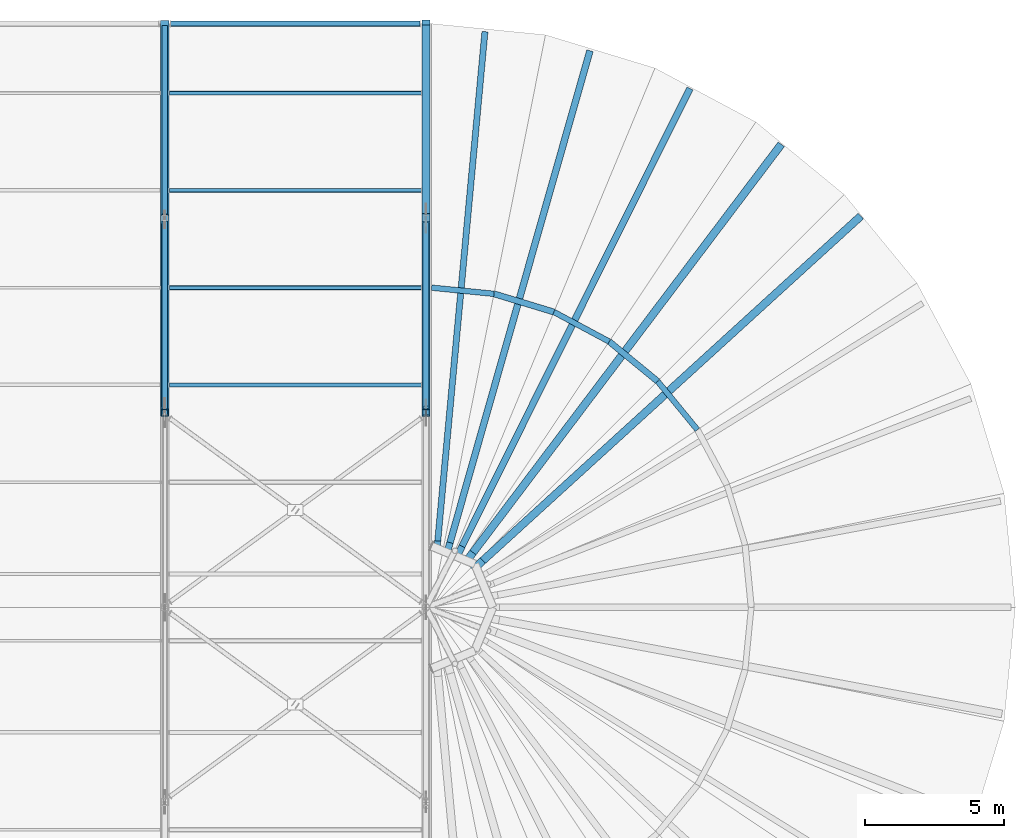
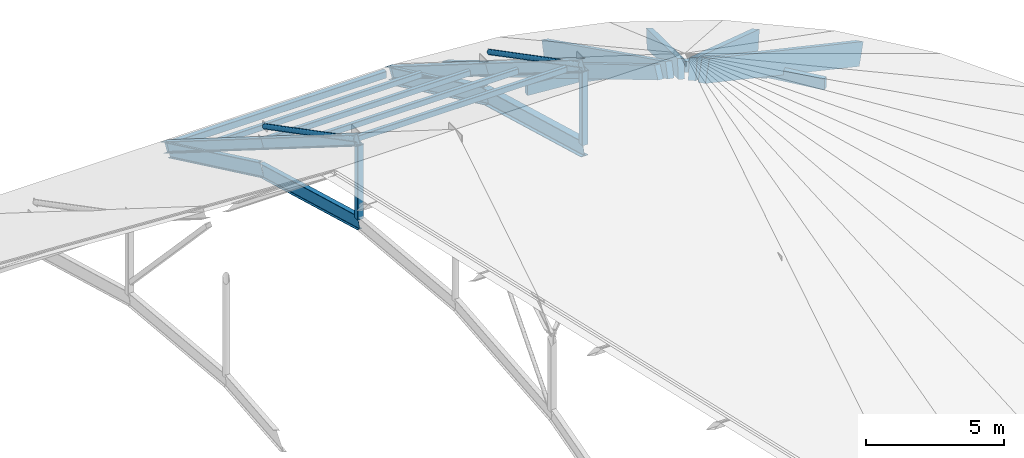
# One storey, part 18 of 66: 17 members, 10 beams.
"""IFC4 building model written with IfcOpenShell, lengths in metres."""

from ifc_helpers import new_model, si_unit, direction, frame, origin, origin_2d, place, context, subcontext, project, spatial, rectangle, hollow_rectangle, hollow_circle, i_section, extrude, material, material_profile, profile_set, type_object, element, save


model = new_model("IFC4")

# Units and contexts
model_context = context("Model", 3, precision=1e-05, world=origin(), true_north=direction((0.0, 1.0)))
body_context = subcontext(model_context, "Body", "Model", "MODEL_VIEW")
ifc_project = project(units=[si_unit("LENGTHUNIT", "METRE"), si_unit("AREAUNIT", "SQUARE_METRE"), si_unit("VOLUMEUNIT", "CUBIC_METRE"), si_unit("PLANEANGLEUNIT", "RADIAN"), si_unit("MASSUNIT", "GRAM", prefix="KILO")], contexts=[model_context])

# Site, building, storey
site_placement = place(None, origin())
site = spatial("IfcSite", under=ifc_project, at=site_placement, CompositionType="ELEMENT")
building_placement = place(site_placement, origin())
building = spatial("IfcBuilding", under=site, at=building_placement, Name="Yeouljin Market Hall", CompositionType="ELEMENT")
storey_placement = place(building_placement, frame((0.0, 0.0, 23.39990234375)))
storey = spatial("IfcBuildingStorey", under=building, at=storey_placement, Name="RF", CompositionType="ELEMENT", Elevation=23.39990234375)

# Beams
ifc_material_1 = material(Name="Glulam Timber KS F 3021 10S-30B", Category="wood")
ifc_material_profile_1 = material_profile(ifc_material_1, rectangle(XDim=0.199951171875, YDim=0.47998046875, at=origin_2d()), Name="GL-200x480")
ifc_profile_set_1 = profile_set([ifc_material_profile_1], Name="Glulam Timber KS F 3021 10S-30B")
beam_type_1 = type_object("IfcBeamType", Name="Beam_GL-200x480", PredefinedType="BEAM", material=ifc_profile_set_1)
for number, where, z_axis, x_axis, name in (
    (1, (150.56201171875, 63.38916015625, -7.349853515625), (-0.634510759902, 0.772914028575, 0.0), (-0.772914028575, -0.634510759902, 0.0), "Glulam apse collar beam east 12"),
    (2, (147.38916015625, 66.56201171875, -7.349853515625), (-0.881968925016, 0.471307559144, 0.0), (-0.471307559144, -0.881968925016, 0.0), "Glulam apse collar beam east 14"),
):
    element("IfcBeam", number, at=place(storey_placement, frame(where, z_axis=z_axis, x_axis=x_axis)), inside=storey, type_object=beam_type_1, Name=name, PredefinedType="BEAM", context=body_context, shape_type="SweptSolid", body=[
        extrude(rectangle(XDim=0.199951171875, YDim=0.47998046875, at=origin_2d()), origin(), (0.0, 0.0, 1.0), 2.25439453125),
    ])
beam_1_placement = place(storey_placement, frame((143.243408203125, 68.279052734375, -7.349853515625), z_axis=(-0.995185122883, 0.098013117446, 0.0), x_axis=(-0.098013117446, -0.995185122883, 0.0)))
element("IfcBeam", 3, at=beam_1_placement, inside=storey, type_object=beam_type_1, Name="Glulam apse collar beam east 16", PredefinedType="BEAM", context=body_context, shape_type="SweptSolid", body=[
    extrude(rectangle(XDim=0.199951171875, YDim=0.47998046875, at=origin_2d()), origin(), (0.0, 0.0, 1.0), 2.254150390625),
])
ifc_material_2 = material(Name="Glulam Timber KS F 3021 10S-30B", Category="wood")
ifc_material_profile_2 = material_profile(ifc_material_2, rectangle(XDim=0.219970703125, YDim=0.56005859375, at=origin_2d()), Name="GL-220x560")
ifc_profile_set_2 = profile_set([ifc_material_profile_2], Name="Glulam Timber KS F 3021 10S-30B")
beam_type_2 = type_object("IfcBeamType", Name="Beam_GL-220x560", PredefinedType="BEAM", material=ifc_profile_set_2)
beam_2_placement = place(storey_placement, frame((149.131591796875, 65.131591796875, -7.349853515625), z_axis=(-0.772914028575, 0.634510759902, 0.0), x_axis=(-0.634510759902, -0.772914028575, 0.0)))
element("IfcBeam", 4, at=beam_2_placement, inside=storey, type_object=beam_type_2, Name="Glulam apse collar beam east 13", PredefinedType="BEAM", context=body_context, shape_type="SweptSolid", body=[
    extrude(rectangle(XDim=0.219970703125, YDim=0.56005859375, at=origin_2d()), origin(), (0.0, 0.0, 1.0), 2.25439453125),
])
beam_3_placement = place(storey_placement, frame((145.40087890625, 67.62451171875, -7.349853515625), z_axis=(-0.9569305483, 0.290316940137, 0.0), x_axis=(-0.290316940137, -0.9569305483, 0.0)))
element("IfcBeam", 5, at=beam_3_placement, inside=storey, type_object=beam_type_2, Name="Glulam apse collar beam east 15", PredefinedType="BEAM", context=body_context, shape_type="SweptSolid", body=[
    extrude(rectangle(XDim=0.219970703125, YDim=0.56005859375, at=origin_2d()), origin(), (0.0, 0.0, 1.0), 2.254638671875),
])
ifc_material_3 = material(Name="Steel SM355", Category="steel")
ifc_material_profile_3 = material_profile(ifc_material_3, i_section(OverallWidth=0.199951171875, OverallDepth=0.60009765625, WebThickness=0.010986328125, FlangeThickness=0.01708984375, FilletRadius=0.02197265625, at=origin_2d()), Name="H-600x200x11x17")
ifc_profile_set_3 = profile_set([ifc_material_profile_3], Name="Steel SM355")
beam_type_3 = type_object("IfcBeamType", Name="Beam_H-600x200x11x17", PredefinedType="BEAM", material=ifc_profile_set_3)
beam_4_placement = place(storey_placement, frame((131.39990234375, 64.02001953125, -7.144287109375), z_axis=(0.0, 0.963516941196, -0.267647350124), x_axis=(-1.0, 0.0, 0.0)))
element("IfcBeam", 6, at=beam_4_placement, inside=storey, type_object=beam_type_3, Name="Truss AT-11 arch rib 5", PredefinedType="BEAM", context=body_context, shape_type="SweptSolid", body=[
    extrude(i_section(OverallWidth=0.199951171875, OverallDepth=0.60009765625, WebThickness=0.010986328125, FlangeThickness=0.01708984375, FilletRadius=0.02197265625, at=origin_2d()), origin(), (0.0, 0.0, 1.0), 7.223388671875),
])
beam_5_placement = place(storey_placement, frame((131.39990234375, 71.02001953125, -9.07763671875), z_axis=(0.0, 0.903192091176, -0.429236585623), x_axis=(-1.0, 0.0, 0.0)))
element("IfcBeam", 7, at=beam_5_placement, inside=storey, type_object=beam_type_3, Name="Truss AT-11 arch rib 6", PredefinedType="BEAM", context=body_context, shape_type="SweptSolid", body=[
    extrude(i_section(OverallWidth=0.199951171875, OverallDepth=0.60009765625, WebThickness=0.010986328125, FlangeThickness=0.01708984375, FilletRadius=0.02197265625, at=origin_2d()), origin(), (0.0, 0.0, 1.0), 7.5068359375),
])
ifc_material_4 = material(Name="Steel SM355", Category="steel")
ifc_material_profile_4 = material_profile(ifc_material_4, hollow_rectangle(XDim=0.199951171875, YDim=0.300048828125, WallThickness=0.009033203125, InnerFilletRadius=0.009033203125, OuterFilletRadius=0.01611328125, at=origin_2d()), Name="RHS-300x200x9")
ifc_profile_set_4 = profile_set([ifc_material_profile_4], Name="Steel SM355")
beam_type_4 = type_object("IfcBeamType", Name="Beam_RHS-300x200x9", PredefinedType="BEAM", material=ifc_profile_set_4)
beam_6_placement = place(storey_placement, frame((131.615966796875, 78.0, -12.27978515625), z_axis=(1.0, 0.0, 0.0), x_axis=(0.0, 1.0, 0.0)))
element("IfcBeam", 8, at=beam_6_placement, inside=storey, type_object=beam_type_4, Name="Hall eaves girder N11", PredefinedType="BEAM", context=body_context, shape_type="SweptSolid", body=[
    extrude(hollow_rectangle(XDim=0.199951171875, YDim=0.300048828125, WallThickness=0.009033203125, InnerFilletRadius=0.009033203125, OuterFilletRadius=0.01611328125, at=origin_2d()), origin(), (0.0, 0.0, 1.0), 8.968017578125),
])

# Members
ifc_material_5 = material(Name="Steel SM355", Category="steel")
ifc_material_profile_5 = material_profile(ifc_material_5, hollow_circle(Radius=0.108154296875, WallThickness=0.008056640625, at=origin_2d()), Name="CHS-216.3x8")
ifc_profile_set_5 = profile_set([ifc_material_profile_5], Name="Steel SM355")
member_type_1 = type_object("IfcMemberType", Name="Brace_CHS-216.3x8", PredefinedType="BRACE", material=ifc_profile_set_5)
for number, where, z_axis, x_axis, name in (
    (9, (131.39990234375, 64.195068359375, -3.6015625), (0.0, 0.886995164265, -0.461778711691), (-1.0, 0.0, 0.0), "Truss AT-11 web diagonal 5"),
    (10, (140.800048828125, 64.195068359375, -3.6015625), (0.0, 0.886995164265, -0.461778711691), (-1.0, 0.0, 0.0), "Truss AT-12 web diagonal 5"),
):
    element("IfcMember", number, at=place(storey_placement, frame(where, z_axis=z_axis, x_axis=x_axis)), inside=storey, type_object=member_type_1, Name=name, PredefinedType="BRACE", context=body_context, shape_type="SweptSolid", body=[
        extrude(hollow_circle(Radius=0.108154296875, WallThickness=0.008056640625, at=origin_2d()), origin(), (0.0, 0.0, 1.0), 7.451904296875),
    ])
ifc_material_6 = material(Name="Steel SM355", Category="steel")
ifc_material_profile_6 = material_profile(ifc_material_6, i_section(OverallWidth=0.300048828125, OverallDepth=0.43994140625, WebThickness=0.010986328125, FlangeThickness=0.01806640625, FilletRadius=0.02001953125, at=origin_2d()), Name="H-440x300x11x18")
ifc_profile_set_6 = profile_set([ifc_material_profile_6], Name="Steel SM355")
member_type_2 = type_object("IfcMemberType", Name="Chord_H-440x300x11x18", PredefinedType="CHORD", material=ifc_profile_set_6)
for number, where, z_axis, x_axis, name in (
    (11, (131.39990234375, 64.0, -3.5), (0.0, 0.846641870869, -0.53216307885), (-1.0, 0.0, 0.0), "Truss AT-11 top chord 5"),
    (12, (131.39990234375, 71.0, -7.89990234375), (0.0, 0.846641870869, -0.53216307885), (-1.0, 0.0, 0.0), "Truss AT-11 top chord 6"),
):
    element("IfcMember", number, at=place(storey_placement, frame(where, z_axis=z_axis, x_axis=x_axis)), inside=storey, type_object=member_type_2, Name=name, PredefinedType="CHORD", context=body_context, shape_type="SweptSolid", body=[
        extrude(i_section(OverallWidth=0.300048828125, OverallDepth=0.43994140625, WebThickness=0.010986328125, FlangeThickness=0.01806640625, FilletRadius=0.02001953125, at=origin_2d()), origin(), (0.0, 0.0, 1.0), 8.26806640625),
    ])
ifc_material_7 = material(Name="Steel SM355", Category="steel")
ifc_material_profile_7 = material_profile(ifc_material_7, i_section(OverallWidth=0.300048828125, OverallDepth=0.488037109375, WebThickness=0.010986328125, FlangeThickness=0.01806640625, FilletRadius=0.02197265625, at=origin_2d()), Name="H-488x300x11x18")
ifc_profile_set_7 = profile_set([ifc_material_profile_7], Name="Steel SM355")
member_type_3 = type_object("IfcMemberType", Name="Chord_H-488x300x11x18", PredefinedType="CHORD", material=ifc_profile_set_7)
for number, where, z_axis, x_axis, name in (
    (13, (140.800048828125, 64.0, -3.5), (0.0, 0.846641870869, -0.53216307885), (-1.0, 0.0, 0.0), "Truss AT-12 top chord 5"),
    (14, (140.800048828125, 71.0, -7.89990234375), (0.0, 0.846641870869, -0.53216307885), (-1.0, 0.0, 0.0), "Truss AT-12 top chord 6"),
):
    element("IfcMember", number, at=place(storey_placement, frame(where, z_axis=z_axis, x_axis=x_axis)), inside=storey, type_object=member_type_3, Name=name, PredefinedType="CHORD", context=body_context, shape_type="SweptSolid", body=[
        extrude(i_section(OverallWidth=0.300048828125, OverallDepth=0.488037109375, WebThickness=0.010986328125, FlangeThickness=0.01806640625, FilletRadius=0.02197265625, at=origin_2d()), origin(), (0.0, 0.0, 1.0), 8.26806640625),
    ])

# Beams
ifc_material_8 = material(Name="Steel SM355", Category="steel")
ifc_material_profile_8 = material_profile(ifc_material_8, i_section(OverallWidth=0.300048828125, OverallDepth=0.699951171875, WebThickness=0.012939453125, FlangeThickness=0.02392578125, FilletRadius=0.02587890625, at=origin_2d()), Name="H-700x300x13x24")
ifc_profile_set_8 = profile_set([ifc_material_profile_8], Name="Steel SM355")
beam_type_5 = type_object("IfcBeamType", Name="Girder_H-700x300x13x24", PredefinedType="USERDEFINED", material=ifc_profile_set_8)
beam_7_placement = place(storey_placement, frame((140.800048828125, 64.02001953125, -7.144287109375), z_axis=(0.0, 0.963516941196, -0.267647350124), x_axis=(-1.0, 0.0, 0.0)))
element("IfcBeam", 15, at=beam_7_placement, inside=storey, type_object=beam_type_5, Name="Truss AT-12 arch rib 5", ObjectType="GIRDER", PredefinedType="USERDEFINED", context=body_context, shape_type="SweptSolid", body=[
    extrude(i_section(OverallWidth=0.300048828125, OverallDepth=0.699951171875, WebThickness=0.012939453125, FlangeThickness=0.02392578125, FilletRadius=0.02587890625, at=origin_2d()), origin(), (0.0, 0.0, 1.0), 7.223388671875),
])
beam_8_placement = place(storey_placement, frame((140.800048828125, 71.02001953125, -9.07763671875), z_axis=(0.0, 0.903192091176, -0.429236585623), x_axis=(-1.0, 0.0, 0.0)))
element("IfcBeam", 16, at=beam_8_placement, inside=storey, type_object=beam_type_5, Name="Truss AT-12 arch rib 6", ObjectType="GIRDER", PredefinedType="USERDEFINED", context=body_context, shape_type="SweptSolid", body=[
    extrude(i_section(OverallWidth=0.300048828125, OverallDepth=0.699951171875, WebThickness=0.012939453125, FlangeThickness=0.02392578125, FilletRadius=0.02587890625, at=origin_2d()), origin(), (0.0, 0.0, 1.0), 7.5068359375),
])

# Members
ifc_material_9 = material(Name="Steel SM355", Category="steel")
ifc_material_profile_9 = material_profile(ifc_material_9, hollow_rectangle(XDim=0.14990234375, YDim=0.25, WallThickness=0.008056640625, InnerFilletRadius=0.008056640625, OuterFilletRadius=0.01611328125, at=origin_2d()), Name="RHS-250x150x8")
ifc_profile_set_9 = profile_set([ifc_material_profile_9], Name="Steel SM355")
member_type_4 = type_object("IfcMemberType", Name="Purlin_RHS-250x150x8", PredefinedType="PURLIN", material=ifc_profile_set_9)
for number, where, z_axis, x_axis, name in (
    (17, (131.56591796875, 65.0, -4.20849609375), (1.0, 0.0, 0.0), (0.0, 1.0, 0.0), "Nave roof purlin 129"),
    (18, (131.56591796875, 68.5, -6.408447265625), (1.0, 0.0, 0.0), (0.0, 1.0, 0.0), "Nave roof purlin 130"),
    (19, (131.56591796875, 72.0, -8.6083984375), (1.0, 0.0, 0.0), (0.0, 1.0, 0.0), "Nave roof purlin 131"),
    (20, (131.56591796875, 75.5, -10.80859375), (1.0, 0.0, 0.0), (0.0, 1.0, 0.0), "Nave roof purlin 132"),
):
    element("IfcMember", number, at=place(storey_placement, frame(where, z_axis=z_axis, x_axis=x_axis)), inside=storey, type_object=member_type_4, Name=name, PredefinedType="PURLIN", context=body_context, shape_type="SweptSolid", body=[
        extrude(hollow_rectangle(XDim=0.14990234375, YDim=0.25, WallThickness=0.008056640625, InnerFilletRadius=0.008056640625, OuterFilletRadius=0.01611328125, at=origin_2d()), origin(), (0.0, 0.0, 1.0), 9.068115234375),
    ])
ifc_material_10 = material(Name="Glulam Timber KS F 3021 10S-30B", Category="wood")
ifc_material_profile_10 = material_profile(ifc_material_10, rectangle(XDim=0.219970703125, YDim=0.56005859375, at=origin_2d()), Name="GL-220x560")
ifc_profile_set_10 = profile_set([ifc_material_profile_10], Name="Glulam Timber KS F 3021 10S-30B")
member_type_5 = type_object("IfcMemberType", Name="Rafter_GL-220x560", PredefinedType="RAFTER", material=ifc_profile_set_10)
member_1_placement = place(storey_placement, frame((142.9052734375, 77.56201171875, -12.579833984375), z_axis=(-0.07820580902, -0.843968210804, 0.530661389766), x_axis=(0.995734107215, -0.092269104958, 0.0)))
element("IfcMember", 21, at=member_1_placement, inside=storey, type_object=member_type_5, Name="Fanned glulam apse rafter east 17", PredefinedType="RAFTER", context=body_context, shape_type="SweptSolid", body=[
    extrude(rectangle(XDim=0.219970703125, YDim=0.56005859375, at=origin_2d()), origin(), (0.0, 0.0, 1.0), 21.708740234375),
])
ifc_material_11 = material(Name="Glulam Timber KS F 3021 10S-30B", Category="wood")
ifc_material_profile_11 = material_profile(ifc_material_11, rectangle(XDim=0.239990234375, YDim=0.639892578125, at=origin_2d()), Name="GL-240x640")
ifc_profile_set_11 = profile_set([ifc_material_profile_11], Name="Glulam Timber KS F 3021 10S-30B")
member_type_6 = type_object("IfcMemberType", Name="Rafter_GL-240x640", PredefinedType="RAFTER", material=ifc_profile_set_11)
member_2_placement = place(storey_placement, frame((146.651123046875, 76.86181640625, -12.579833984375), z_axis=(-0.231950904705, -0.815230113071, 0.530658685548), x_axis=(0.961826283182, -0.273660740663, 0.0)))
element("IfcMember", 22, at=member_2_placement, inside=storey, type_object=member_type_6, Name="Fanned glulam apse rafter east 16", PredefinedType="RAFTER", context=body_context, shape_type="SweptSolid", body=[
    extrude(rectangle(XDim=0.239990234375, YDim=0.639892578125, at=origin_2d()), origin(), (0.0, 0.0, 1.0), 21.708984375),
])
ifc_material_12 = material(Name="Glulam Timber KS F 3021 10S-30B", Category="wood")
ifc_material_profile_12 = material_profile(ifc_material_12, rectangle(XDim=0.239990234375, YDim=0.760009765625, at=origin_2d()), Name="GL-240x760")
ifc_profile_set_12 = profile_set([ifc_material_profile_12], Name="Glulam Timber KS F 3021 10S-30B")
member_type_7 = type_object("IfcMemberType", Name="Rafter_GL-240x760", PredefinedType="RAFTER", material=ifc_profile_set_12)
member_3_placement = place(storey_placement, frame((150.20458984375, 75.485107421875, -12.579833984375), z_axis=(-0.377804205833, -0.758723603814, 0.530662298519), x_axis=(0.89516105907, -0.445742838781, 0.0)))
element("IfcMember", 23, at=member_3_placement, inside=storey, type_object=member_type_7, Name="Fanned glulam apse rafter east 15", PredefinedType="RAFTER", context=body_context, shape_type="SweptSolid", body=[
    extrude(rectangle(XDim=0.239990234375, YDim=0.760009765625, at=origin_2d()), origin(), (0.0, 0.0, 1.0), 21.708740234375),
])
ifc_material_13 = material(Name="Glulam Timber KS F 3021 10S-30B", Category="wood")
ifc_material_profile_13 = material_profile(ifc_material_13, rectangle(XDim=0.280029296875, YDim=0.840087890625, at=origin_2d()), Name="GL-280x840")
ifc_profile_set_13 = profile_set([ifc_material_profile_13], Name="Glulam Timber KS F 3021 10S-30B")
member_type_8 = type_object("IfcMemberType", Name="Rafter_GL-280x840", PredefinedType="RAFTER", material=ifc_profile_set_13)
member_4_placement = place(storey_placement, frame((153.4443359375, 73.47900390625, -12.579833984375), z_axis=(-0.510778649945, -0.676389782075, 0.530661882432), x_axis=(0.798021314384, -0.602629224141, 0.0)))
element("IfcMember", 24, at=member_4_placement, inside=storey, type_object=member_type_8, Name="Fanned glulam apse rafter east 14", PredefinedType="RAFTER", context=body_context, shape_type="SweptSolid", body=[
    extrude(rectangle(XDim=0.280029296875, YDim=0.840087890625, at=origin_2d()), origin(), (0.0, 0.0, 1.0), 21.708740234375),
])
ifc_material_14 = material(Name="Glulam Timber KS F 3021 10S-30B", Category="wood")
ifc_material_profile_14 = material_profile(ifc_material_14, rectangle(XDim=0.280029296875, YDim=0.919921875, at=origin_2d()), Name="GL-280x920")
ifc_profile_set_14 = profile_set([ifc_material_profile_14], Name="Glulam Timber KS F 3021 10S-30B")
member_type_9 = type_object("IfcMemberType", Name="Rafter_GL-280x920", PredefinedType="RAFTER", material=ifc_profile_set_14)
member_5_placement = place(storey_placement, frame((156.260498046875, 70.911865234375, -12.579833984375), z_axis=(-0.626368866513, -0.571015024927, 0.530663626388), x_axis=(0.673698449948, -0.739006358929, 0.0)))
element("IfcMember", 25, at=member_5_placement, inside=storey, type_object=member_type_9, Name="Fanned glulam apse rafter east 13", PredefinedType="RAFTER", context=body_context, shape_type="SweptSolid", body=[
    extrude(rectangle(XDim=0.280029296875, YDim=0.919921875, at=origin_2d()), origin(), (0.0, 0.0, 1.0), 21.708740234375),
])
ifc_material_15 = material(Name="Steel SM355", Category="steel")
ifc_material_profile_15 = material_profile(ifc_material_15, hollow_rectangle(XDim=0.25, YDim=0.25, WallThickness=0.009033203125, InnerFilletRadius=0.009033203125, OuterFilletRadius=0.01611328125, at=origin_2d()), Name="SHS-250x250x9")
ifc_profile_set_15 = profile_set([ifc_material_profile_15], Name="Steel SM355")
member_type_10 = type_object("IfcMemberType", Name="Strut_SHS-250x250x9", PredefinedType="STRUT", material=ifc_profile_set_15)
for number, where, z_axis, x_axis, name in (
    (26, (131.39990234375, 64.0, -6.96435546875), (0.0, 0.0, 1.0), (1.0, 0.0, 0.0), "Truss AT-11 vertical strut 4"),
    (27, (140.800048828125, 64.0, -6.96435546875), (0.0, 0.0, 1.0), (1.0, 0.0, 0.0), "Truss AT-12 vertical strut 4"),
):
    element("IfcMember", number, at=place(storey_placement, frame(where, z_axis=z_axis, x_axis=x_axis)), inside=storey, type_object=member_type_10, Name=name, PredefinedType="STRUT", context=body_context, shape_type="SweptSolid", body=[
        extrude(hollow_rectangle(XDim=0.25, YDim=0.25, WallThickness=0.009033203125, InnerFilletRadius=0.009033203125, OuterFilletRadius=0.01611328125, at=origin_2d()), origin(), (0.0, 0.0, 1.0), 3.284423828125),
    ])

save(model, "model.ifc")
